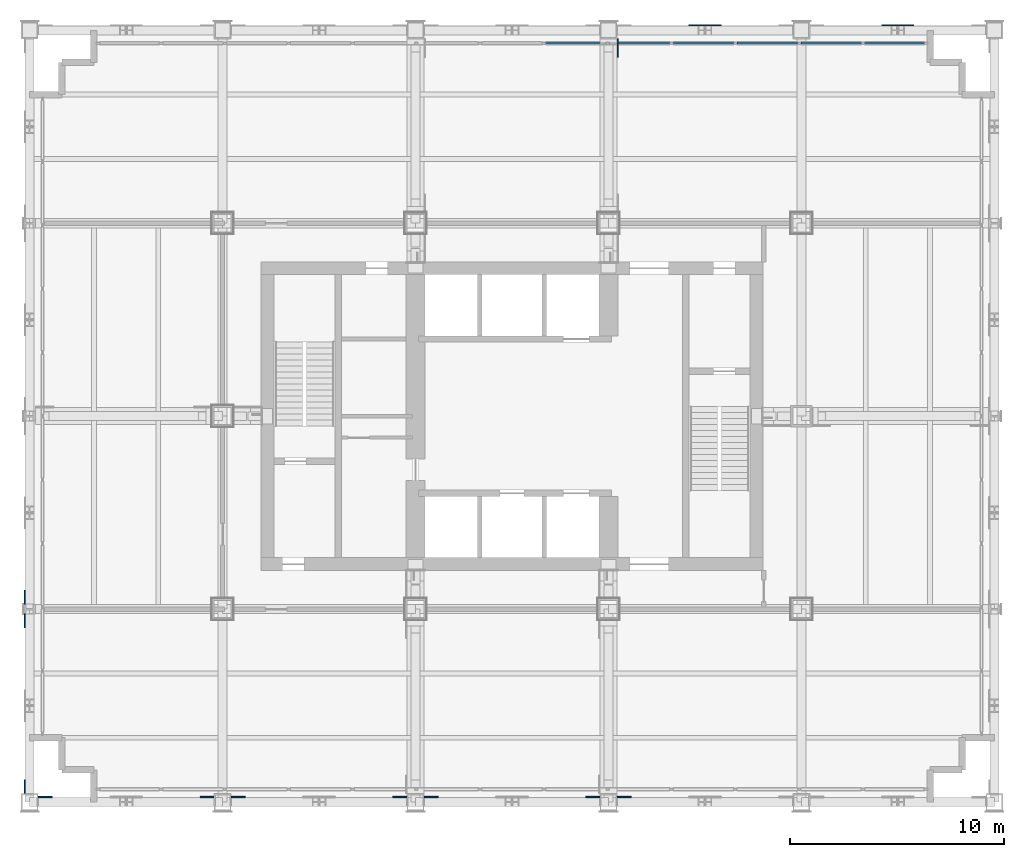
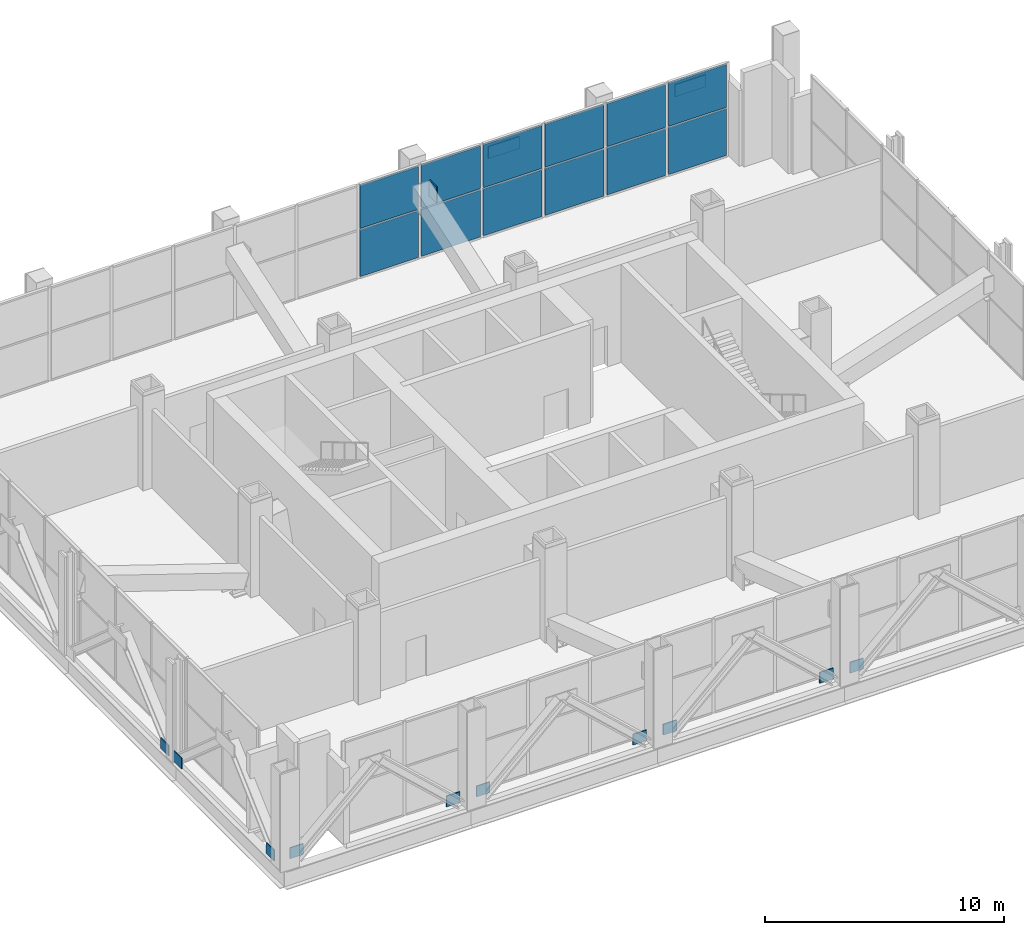
# One storey, part 11 of 16: 25 plates, 1 element without a shape of its own.
"""IFC4 building model written with IfcOpenShell, lengths in metres."""

from ifc_helpers import new_model, si_unit, direction, frame, origin, origin_2d, place, context, subcontext, project, spatial, rectangle, extrude, material, layer, layer_set, type_object, element, aggregate, save


model = new_model("IFC4")

# Units and contexts
model_context = context("Model", 3, precision=1e-05, world=origin(), true_north=direction((0.0, 1.0)))
body_context = subcontext(model_context, "Body", "Model", "MODEL_VIEW")
ifc_project = project(units=[si_unit("LENGTHUNIT", "METRE"), si_unit("AREAUNIT", "SQUARE_METRE"), si_unit("VOLUMEUNIT", "CUBIC_METRE"), si_unit("PLANEANGLEUNIT", "RADIAN"), si_unit("MASSUNIT", "GRAM", prefix="KILO")], contexts=[model_context])

# Site, building, storey
site_placement = place(None, origin())
site = spatial("IfcSite", under=ifc_project, at=site_placement, CompositionType="ELEMENT")
building_placement = place(site_placement, origin())
building = spatial("IfcBuilding", under=site, at=building_placement, Name="Loomwork Tower", CompositionType="ELEMENT")
storey_placement = place(building_placement, frame((0.0, 0.0, 155.39990234375)))
storey = spatial("IfcBuildingStorey", under=building, at=storey_placement, Name="L42", CompositionType="ELEMENT", Elevation=155.39990234375)

# Curtain wall, plates
ifc_material_1 = material(Name="Aluminium louvre frame", Category="aluminium")
curtain_wall_type = type_object("IfcCurtainWallType", Name="Plant floor louvre screen", PredefinedType="NOTDEFINED", material=ifc_material_1)
curtain_wall_placement = place(storey_placement, origin())
curtain_wall = element("IfcCurtainWall", 1, at=curtain_wall_placement, inside=storey, type_object=curtain_wall_type, Name="Plant floor louvre screen cw/N", PredefinedType="NOTDEFINED")
ifc_material_2 = material(Name="Aluminium louvre blade panel", Category="aluminium")
ifc_layer_1 = layer(ifc_material_2, 0.10009765625)
ifc_layer_set_1 = layer_set([ifc_layer_1], Name="Plant floor louvre screen panel")
plate_type_1 = type_object("IfcPlateType", Name="Plant floor louvre screen panel", PredefinedType="CURTAIN_PANEL", material=ifc_layer_set_1)
plate_1_placement = place(storey_placement, frame((40.341552734375, 35.39990234375, 0.080078125), z_axis=(0.0, 0.0, 1.0), x_axis=(-1.0, 0.0, 0.0)))
plate_1 = element("IfcPlate", 2, at=plate_1_placement, type_object=plate_type_1, Name="CW4 panel 1.1", PredefinedType="CURTAIN_PANEL", context=body_context, shape_type="SweptSolid", body=[
    extrude(rectangle(XDim=2.786865234375, YDim=0.10009765625, at=origin_2d()), origin(), (0.0, 0.0, 1.0), 2.3798828125),
])
plate_2_placement = place(storey_placement, frame((40.341552734375, 35.39990234375, 2.5400390625), z_axis=(0.0, 0.0, 1.0), x_axis=(-1.0, 0.0, 0.0)))
plate_2 = element("IfcPlate", 3, at=plate_2_placement, type_object=plate_type_1, Name="CW4 panel 1.2", PredefinedType="CURTAIN_PANEL", context=body_context, shape_type="SweptSolid", body=[
    extrude(rectangle(XDim=2.786865234375, YDim=0.10009765625, at=origin_2d()), origin(), (0.0, 0.0, 1.0), 2.179931640625),
])
plate_3_placement = place(storey_placement, frame((37.384521484375, 35.39990234375, 0.080078125), z_axis=(0.0, 0.0, 1.0), x_axis=(-1.0, 0.0, 0.0)))
plate_3 = element("IfcPlate", 4, at=plate_3_placement, type_object=plate_type_1, Name="CW4 panel 2.1", PredefinedType="CURTAIN_PANEL", context=body_context, shape_type="SweptSolid", body=[
    extrude(rectangle(XDim=2.826904296875, YDim=0.10009765625, at=origin_2d()), origin(), (0.0, 0.0, 1.0), 2.3798828125),
])
plate_4_placement = place(storey_placement, frame((37.384521484375, 35.39990234375, 2.5400390625), z_axis=(0.0, 0.0, 1.0), x_axis=(-1.0, 0.0, 0.0)))
plate_4 = element("IfcPlate", 5, at=plate_4_placement, type_object=plate_type_1, Name="CW4 panel 2.2", PredefinedType="CURTAIN_PANEL", context=body_context, shape_type="SweptSolid", body=[
    extrude(rectangle(XDim=2.826904296875, YDim=0.10009765625, at=origin_2d()), origin(), (0.0, 0.0, 1.0), 2.179931640625),
])
plate_5_placement = place(storey_placement, frame((34.40771484375, 35.39990234375, 0.080078125), z_axis=(0.0, 0.0, 1.0), x_axis=(-1.0, 0.0, 0.0)))
plate_5 = element("IfcPlate", 6, at=plate_5_placement, type_object=plate_type_1, Name="CW4 panel 3.1", PredefinedType="CURTAIN_PANEL", context=body_context, shape_type="SweptSolid", body=[
    extrude(rectangle(XDim=2.826904296875, YDim=0.10009765625, at=origin_2d()), origin(), (0.0, 0.0, 1.0), 2.3798828125),
])
plate_6_placement = place(storey_placement, frame((34.40771484375, 35.39990234375, 2.5400390625), z_axis=(0.0, 0.0, 1.0), x_axis=(-1.0, 0.0, 0.0)))
plate_6 = element("IfcPlate", 7, at=plate_6_placement, type_object=plate_type_1, Name="CW4 panel 3.2", PredefinedType="CURTAIN_PANEL", context=body_context, shape_type="SweptSolid", body=[
    extrude(rectangle(XDim=2.826904296875, YDim=0.10009765625, at=origin_2d()), origin(), (0.0, 0.0, 1.0), 2.179931640625),
])
plate_7_placement = place(storey_placement, frame((31.4306640625, 35.39990234375, 0.080078125), z_axis=(0.0, 0.0, 1.0), x_axis=(-1.0, 0.0, 0.0)))
plate_7 = element("IfcPlate", 8, at=plate_7_placement, type_object=plate_type_1, Name="CW4 panel 4.1", PredefinedType="CURTAIN_PANEL", context=body_context, shape_type="SweptSolid", body=[
    extrude(rectangle(XDim=2.826904296875, YDim=0.10009765625, at=origin_2d()), origin(), (0.0, 0.0, 1.0), 2.3798828125),
])
plate_8_placement = place(storey_placement, frame((31.4306640625, 35.39990234375, 2.5400390625), z_axis=(0.0, 0.0, 1.0), x_axis=(-1.0, 0.0, 0.0)))
plate_8 = element("IfcPlate", 9, at=plate_8_placement, type_object=plate_type_1, Name="CW4 panel 4.2", PredefinedType="CURTAIN_PANEL", context=body_context, shape_type="SweptSolid", body=[
    extrude(rectangle(XDim=2.826904296875, YDim=0.10009765625, at=origin_2d()), origin(), (0.0, 0.0, 1.0), 2.179931640625),
])
plate_9_placement = place(storey_placement, frame((28.453857421875, 35.39990234375, 0.080078125), z_axis=(0.0, 0.0, 1.0), x_axis=(-1.0, 0.0, 0.0)))
plate_9 = element("IfcPlate", 10, at=plate_9_placement, type_object=plate_type_1, Name="CW4 panel 5.1", PredefinedType="CURTAIN_PANEL", context=body_context, shape_type="SweptSolid", body=[
    extrude(rectangle(XDim=2.826904296875, YDim=0.10009765625, at=origin_2d()), origin(), (0.0, 0.0, 1.0), 2.3798828125),
])
plate_10_placement = place(storey_placement, frame((28.453857421875, 35.39990234375, 2.5400390625), z_axis=(0.0, 0.0, 1.0), x_axis=(-1.0, 0.0, 0.0)))
plate_10 = element("IfcPlate", 11, at=plate_10_placement, type_object=plate_type_1, Name="CW4 panel 5.2", PredefinedType="CURTAIN_PANEL", context=body_context, shape_type="SweptSolid", body=[
    extrude(rectangle(XDim=2.826904296875, YDim=0.10009765625, at=origin_2d()), origin(), (0.0, 0.0, 1.0), 2.179931640625),
])
plate_11_placement = place(storey_placement, frame((25.476806640625, 35.39990234375, 0.080078125), z_axis=(0.0, 0.0, 1.0), x_axis=(-1.0, 0.0, 0.0)))
plate_11 = element("IfcPlate", 12, at=plate_11_placement, type_object=plate_type_1, Name="CW4 panel 6.1", PredefinedType="CURTAIN_PANEL", context=body_context, shape_type="SweptSolid", body=[
    extrude(rectangle(XDim=2.826904296875, YDim=0.10009765625, at=origin_2d()), origin(), (0.0, 0.0, 1.0), 2.3798828125),
])
plate_12_placement = place(storey_placement, frame((25.476806640625, 35.39990234375, 2.5400390625), z_axis=(0.0, 0.0, 1.0), x_axis=(-1.0, 0.0, 0.0)))
plate_12 = element("IfcPlate", 13, at=plate_12_placement, type_object=plate_type_1, Name="CW4 panel 6.2", PredefinedType="CURTAIN_PANEL", context=body_context, shape_type="SweptSolid", body=[
    extrude(rectangle(XDim=2.826904296875, YDim=0.10009765625, at=origin_2d()), origin(), (0.0, 0.0, 1.0), 2.179931640625),
])
aggregate(curtain_wall, [plate_1, plate_2, plate_3, plate_4, plate_5, plate_6, plate_7, plate_8, plate_9, plate_10, plate_11, plate_12])

# Plates
ifc_material_3 = material(Name="Steel ASTM A572 Grade 50 plate", Category="steel")
ifc_layer_2 = layer(ifc_material_3, 0.050048828125)
ifc_layer_set_2 = layer_set([ifc_layer_2], Name="BELT TRUSS APEX GUSSET PLATE 50")
plate_type_2 = type_object("IfcPlateType", Name="BELT TRUSS APEX GUSSET PLATE 50", PredefinedType="SHEET", material=ifc_layer_set_2)
for number, where, z_axis, x_axis, name in (
    (14, (31.5, 36.235595703125, 3.230712890625), (0.0, 0.0, 1.0), (1.0, 0.0, 0.0), "Belt truss chevron apex gusset plate H/5-H/6 L42"),
    (15, (40.5, 36.235595703125, 3.230712890625), (0.0, 0.0, 1.0), (1.0, 0.0, 0.0), "Belt truss chevron apex gusset plate H/6-H/7 L42"),
):
    element("IfcPlate", number, at=place(storey_placement, frame(where, z_axis=z_axis, x_axis=x_axis)), inside=storey, type_object=plate_type_2, Name=name, PredefinedType="SHEET", context=body_context, shape_type="SweptSolid", body=[
        extrude(rectangle(XDim=1.5, YDim=0.050048828125, at=origin_2d()), origin(), (0.0, 0.0, 1.0), 0.6201171875),
    ])
ifc_material_4 = material(Name="Steel ASTM A572 Grade 50 plate", Category="steel")
ifc_layer_3 = layer(ifc_material_4, 0.050048828125)
ifc_layer_set_3 = layer_set([ifc_layer_3], Name="BELT TRUSS PIER GUSSET PLATE 50")
plate_type_3 = type_object("IfcPlateType", Name="BELT TRUSS PIER GUSSET PLATE 50", PredefinedType="SHEET", material=ifc_layer_set_3)
for number, where, z_axis, x_axis, name in (
    (16, (0.72705078125, 0.235595703125, 0.001953125), (0.0, 0.0, 1.0), (1.0, 0.0, 0.0), "Belt truss pier gusset plate D/2-D/3 1 L42"),
    (17, (8.27294921875, 0.235595703125, 0.001953125), (0.0, 0.0, 1.0), (1.0, 0.0, 0.0), "Belt truss pier gusset plate D/2-D/3 2 L42"),
    (18, (-0.235595703125, 0.72705078125, 0.001953125), (0.0, 0.0, 1.0), (0.0, 1.0, 0.0), "Belt truss pier gusset plate D/2-E/2 1 L42"),
    (19, (-0.235595703125, 8.451904296875, 0.001953125), (0.0, 0.0, 1.0), (0.0, 1.0, 0.0), "Belt truss pier gusset plate D/2-E/2 2 L42"),
    (20, (9.72705078125, 0.235595703125, 0.001953125), (0.0, 0.0, 1.0), (1.0, 0.0, 0.0), "Belt truss pier gusset plate D/3-D/4 1 L42"),
    (21, (17.27294921875, 0.235595703125, 0.001953125), (0.0, 0.0, 1.0), (1.0, 0.0, 0.0), "Belt truss pier gusset plate D/3-D/4 2 L42"),
    (22, (18.72705078125, 0.235595703125, 0.001953125), (0.0, 0.0, 1.0), (1.0, 0.0, 0.0), "Belt truss pier gusset plate D/4-D/5 1 L42"),
    (23, (26.27294921875, 0.235595703125, 0.001953125), (0.0, 0.0, 1.0), (1.0, 0.0, 0.0), "Belt truss pier gusset plate D/4-D/5 2 L42"),
    (24, (27.72705078125, 0.235595703125, 0.001953125), (0.0, 0.0, 1.0), (1.0, 0.0, 0.0), "Belt truss pier gusset plate D/5-D/6 1 L42"),
    (25, (-0.235595703125, 9.548095703125, 0.001953125), (0.0, 0.0, 1.0), (0.0, 1.0, 0.0), "Belt truss pier gusset plate E/2-F/2 1 L42"),
):
    element("IfcPlate", number, at=place(storey_placement, frame(where, z_axis=z_axis, x_axis=x_axis)), inside=storey, type_object=plate_type_3, Name=name, PredefinedType="SHEET", context=body_context, shape_type="SweptSolid", body=[
        extrude(rectangle(XDim=0.64990234375, YDim=0.050048828125, at=origin_2d()), origin(), (0.0, 0.0, 1.0), 0.550048828125),
    ])
ifc_material_5 = material(Name="Steel ASTM A572 Grade 50 plate", Category="steel")
ifc_layer_4 = layer(ifc_material_5, 0.06005859375)
ifc_layer_set_4 = layer_set([ifc_layer_4], Name="OUTRIGGER GUSSET PLATE 60")
plate_type_4 = type_object("IfcPlateType", Name="OUTRIGGER GUSSET PLATE 60", PredefinedType="SHEET", material=ifc_layer_set_4)
plate_13_placement = place(storey_placement, frame((27.430908203125, 35.1708984375, 3.0224609375), z_axis=(0.0, 0.0, 1.0), x_axis=(0.0, 1.0, 0.0)))
element("IfcPlate", 26, at=plate_13_placement, inside=storey, type_object=plate_type_4, Name="Outrigger top gusset plate H/5/0 L42", PredefinedType="SHEET", context=body_context, shape_type="SweptSolid", body=[
    extrude(rectangle(XDim=0.85009765625, YDim=0.06005859375, at=origin_2d()), origin(), (0.0, 0.0, 1.0), 0.820068359375),
])

save(model, "model.ifc")
